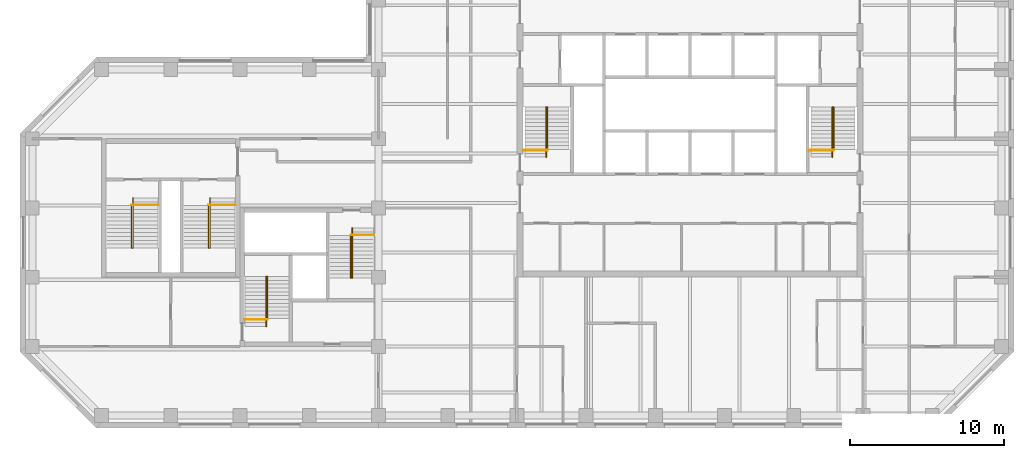
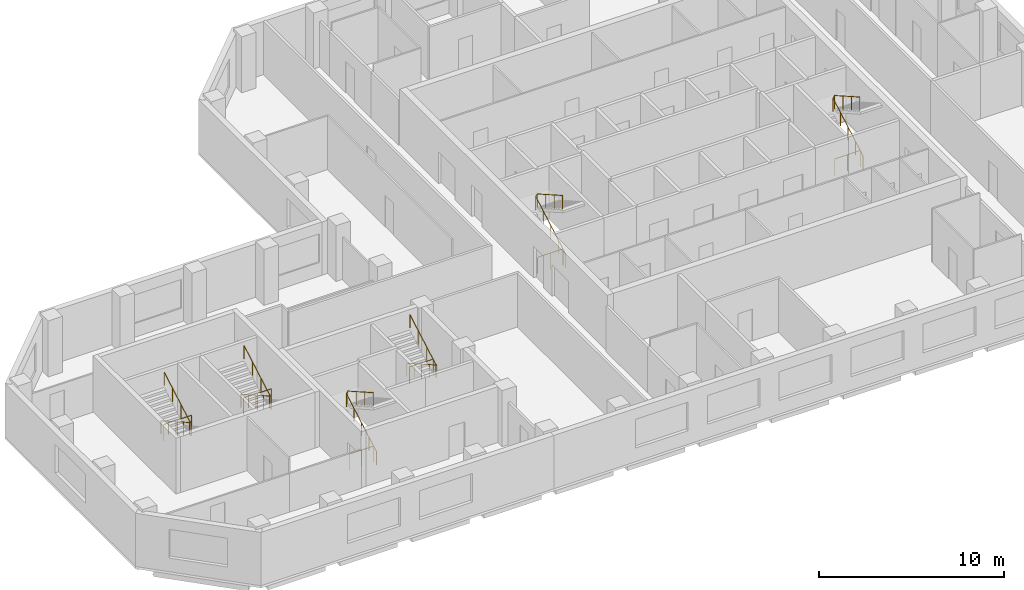
# One storey, part 9 of 9: 12 railings.
"""IFC4 building model written with IfcOpenShell, lengths in metres."""

from ifc_helpers import new_model, si_unit, direction, frame, origin, origin_2d, place, context, subcontext, project, spatial, circle, extrude, material, type_object, element, save


model = new_model("IFC4")

# Units and contexts
model_context = context("Model", 3, precision=1e-05, world=origin(), true_north=direction((0.0, 1.0)))
body_context = subcontext(model_context, "Body", "Model", "MODEL_VIEW")
ifc_project = project(units=[si_unit("LENGTHUNIT", "METRE"), si_unit("AREAUNIT", "SQUARE_METRE"), si_unit("VOLUMEUNIT", "CUBIC_METRE"), si_unit("PLANEANGLEUNIT", "RADIAN"), si_unit("MASSUNIT", "GRAM", prefix="KILO")], contexts=[model_context])

# Site, building, storey
site_placement = place(None, origin())
site = spatial("IfcSite", under=ifc_project, at=site_placement, CompositionType="ELEMENT")
building_placement = place(site_placement, origin())
building = spatial("IfcBuilding", under=site, at=building_placement, Name="Quoin Convention Tower", CompositionType="ELEMENT")
storey_placement = place(building_placement, frame((0.0, 0.0, 223.0)))
storey = spatial("IfcBuildingStorey", under=building, at=storey_placement, Name="L58", CompositionType="ELEMENT", Elevation=223.0)

# Railings
ifc_material = material(Name="Stainless steel", Category="steel")
railing_type_1 = type_object("IfcRailingType", Name="Stair handrail 900", PredefinedType="HANDRAIL", material=ifc_material)
railing_1_placement = place(storey_placement, frame((46.905029296875, 57.300048828125, 0.142333984375)))
element("IfcRailing", 1, at=railing_1_placement, inside=storey, type_object=railing_type_1, Name="SD1 handrail 1", PredefinedType="HANDRAIL", context=body_context, shape_type="SweptSolid", body=[
    extrude(circle(Radius=0.02392578125, at=origin_2d()), frame((0.0, 0.0, 0.8759765625), z_axis=(0.0, 0.869081571614, 0.494668800189), x_axis=(-1.0, 0.0, 0.0)), (0.0, 0.0, 1.0), 3.739501953125),
    extrude(circle(Radius=0.02392578125, at=origin_2d()), frame((0.0, 3.25, 2.7255859375), z_axis=(0.53481069233, 0.0, 0.844971906852), x_axis=(0.0, 1.0, 0.0)), (0.0, 0.0, 1.0), 0.16845703125),
    extrude(circle(Radius=0.02392578125, at=origin_2d()), frame((0.090087890625, 3.25, 2.8681640625), z_axis=(0.0, -0.869058607571, 0.494709143443), x_axis=(1.0, 0.0, 0.0)), (0.0, 0.0, 1.0), 3.164306640625),
    extrude(circle(Radius=0.02099609375, at=origin_2d()), origin(), (0.0, 0.0, 1.0), 0.851806640625),
    extrude(circle(Radius=0.02099609375, at=origin_2d()), frame((0.0, 0.8125, 0.46240234375)), (0.0, 0.0, 1.0), 0.851806640625),
    extrude(circle(Radius=0.02099609375, at=origin_2d()), frame((0.0, 1.625, 0.9248046875)), (0.0, 0.0, 1.0), 0.851806640625),
    extrude(circle(Radius=0.02099609375, at=origin_2d()), frame((0.0, 2.4375, 1.387451171875)), (0.0, 0.0, 1.0), 0.851806640625),
    extrude(circle(Radius=0.02099609375, at=origin_2d()), frame((0.0, 3.25, 1.849853515625)), (0.0, 0.0, 1.0), 0.851806640625),
    extrude(circle(Radius=0.02099609375, at=origin_2d()), frame((0.090087890625, 3.25, 1.9921875)), (0.0, 0.0, 1.0), 0.851806640625),
    extrude(circle(Radius=0.02099609375, at=origin_2d()), frame((0.090087890625, 2.333251953125, 2.513916015625)), (0.0, 0.0, 1.0), 0.851806640625),
    extrude(circle(Radius=0.02099609375, at=origin_2d()), frame((0.090087890625, 1.416748046875, 3.035888671875)), (0.0, 0.0, 1.0), 0.851806640625),
    extrude(circle(Radius=0.02099609375, at=origin_2d()), frame((0.090087890625, 0.5, 3.5576171875)), (0.0, 0.0, 1.0), 0.851806640625),
])
railing_2_placement = place(storey_placement, frame((65.5048828125, 57.300048828125, 0.142333984375)))
element("IfcRailing", 2, at=railing_2_placement, inside=storey, type_object=railing_type_1, Name="SD2 handrail 1", PredefinedType="HANDRAIL", context=body_context, shape_type="SweptSolid", body=[
    extrude(circle(Radius=0.02392578125, at=origin_2d()), frame((0.0, 0.0, 0.8759765625), z_axis=(0.0, 0.869081571614, 0.494668800189), x_axis=(-1.0, 0.0, 0.0)), (0.0, 0.0, 1.0), 3.739501953125),
    extrude(circle(Radius=0.02392578125, at=origin_2d()), frame((0.0, 3.25, 2.7255859375), z_axis=(0.53481069233, 0.0, 0.844971906852), x_axis=(0.0, 1.0, 0.0)), (0.0, 0.0, 1.0), 0.16845703125),
    extrude(circle(Radius=0.02392578125, at=origin_2d()), frame((0.090087890625, 3.25, 2.8681640625), z_axis=(0.0, -0.869058607571, 0.494709143443), x_axis=(1.0, 0.0, 0.0)), (0.0, 0.0, 1.0), 3.164306640625),
    extrude(circle(Radius=0.02099609375, at=origin_2d()), origin(), (0.0, 0.0, 1.0), 0.851806640625),
    extrude(circle(Radius=0.02099609375, at=origin_2d()), frame((0.0, 0.8125, 0.46240234375)), (0.0, 0.0, 1.0), 0.851806640625),
    extrude(circle(Radius=0.02099609375, at=origin_2d()), frame((0.0, 1.625, 0.9248046875)), (0.0, 0.0, 1.0), 0.851806640625),
    extrude(circle(Radius=0.02099609375, at=origin_2d()), frame((0.0, 2.4375, 1.387451171875)), (0.0, 0.0, 1.0), 0.851806640625),
    extrude(circle(Radius=0.02099609375, at=origin_2d()), frame((0.0, 3.25, 1.849853515625)), (0.0, 0.0, 1.0), 0.851806640625),
    extrude(circle(Radius=0.02099609375, at=origin_2d()), frame((0.090087890625, 3.25, 1.9921875)), (0.0, 0.0, 1.0), 0.851806640625),
    extrude(circle(Radius=0.02099609375, at=origin_2d()), frame((0.090087890625, 2.333251953125, 2.513916015625)), (0.0, 0.0, 1.0), 0.851806640625),
    extrude(circle(Radius=0.02099609375, at=origin_2d()), frame((0.090087890625, 1.416748046875, 3.035888671875)), (0.0, 0.0, 1.0), 0.851806640625),
    extrude(circle(Radius=0.02099609375, at=origin_2d()), frame((0.090087890625, 0.5, 3.5576171875)), (0.0, 0.0, 1.0), 0.851806640625),
])
railing_3_placement = place(storey_placement, frame((28.705078125, 46.300048828125, 0.142333984375)))
element("IfcRailing", 3, at=railing_3_placement, inside=storey, type_object=railing_type_1, Name="SD3 handrail 1", PredefinedType="HANDRAIL", context=body_context, shape_type="SweptSolid", body=[
    extrude(circle(Radius=0.02392578125, at=origin_2d()), frame((0.0, 0.0, 0.8759765625), z_axis=(0.0, 0.869081571614, 0.494668800189), x_axis=(-1.0, 0.0, 0.0)), (0.0, 0.0, 1.0), 3.739501953125),
    extrude(circle(Radius=0.02392578125, at=origin_2d()), frame((0.0, 3.25, 2.7255859375), z_axis=(0.533774684331, 0.0, 0.845626741753), x_axis=(0.0, 1.0, 0.0)), (0.0, 0.0, 1.0), 0.168212890625),
    extrude(circle(Radius=0.02392578125, at=origin_2d()), frame((0.08984375, 3.25, 2.8681640625), z_axis=(0.0, -0.869058607571, 0.494709143443), x_axis=(1.0, 0.0, 0.0)), (0.0, 0.0, 1.0), 3.164306640625),
    extrude(circle(Radius=0.02099609375, at=origin_2d()), origin(), (0.0, 0.0, 1.0), 0.851806640625),
    extrude(circle(Radius=0.02099609375, at=origin_2d()), frame((0.0, 0.8125, 0.46240234375)), (0.0, 0.0, 1.0), 0.851806640625),
    extrude(circle(Radius=0.02099609375, at=origin_2d()), frame((0.0, 1.625, 0.9248046875)), (0.0, 0.0, 1.0), 0.851806640625),
    extrude(circle(Radius=0.02099609375, at=origin_2d()), frame((0.0, 2.4375, 1.387451171875)), (0.0, 0.0, 1.0), 0.851806640625),
    extrude(circle(Radius=0.02099609375, at=origin_2d()), frame((0.0, 3.25, 1.849853515625)), (0.0, 0.0, 1.0), 0.851806640625),
    extrude(circle(Radius=0.02099609375, at=origin_2d()), frame((0.08984375, 3.25, 1.9921875)), (0.0, 0.0, 1.0), 0.851806640625),
    extrude(circle(Radius=0.02099609375, at=origin_2d()), frame((0.08984375, 2.333251953125, 2.513916015625)), (0.0, 0.0, 1.0), 0.851806640625),
    extrude(circle(Radius=0.02099609375, at=origin_2d()), frame((0.08984375, 1.416748046875, 3.035888671875)), (0.0, 0.0, 1.0), 0.851806640625),
    extrude(circle(Radius=0.02099609375, at=origin_2d()), frame((0.08984375, 0.5, 3.5576171875)), (0.0, 0.0, 1.0), 0.851806640625),
])
railing_4_placement = place(storey_placement, frame((34.294921875, 52.699951171875, 0.142333984375)))
element("IfcRailing", 4, at=railing_4_placement, inside=storey, type_object=railing_type_1, Name="SD4 handrail 1", PredefinedType="HANDRAIL", context=body_context, shape_type="SweptSolid", body=[
    extrude(circle(Radius=0.02392578125, at=origin_2d()), frame((0.0, 0.0, 0.8759765625), z_axis=(0.0, -0.869081571614, 0.494668800189), x_axis=(1.0, 0.0, 0.0)), (0.0, 0.0, 1.0), 3.739501953125),
    extrude(circle(Radius=0.02392578125, at=origin_2d()), frame((0.0, -3.25, 2.7255859375), z_axis=(-0.533774684331, 0.0, 0.845626741753), x_axis=(0.0, -1.0, 0.0)), (0.0, 0.0, 1.0), 0.168212890625),
    extrude(circle(Radius=0.02392578125, at=origin_2d()), frame((-0.08984375, -3.25, 2.8681640625), z_axis=(0.0, 0.869058607571, 0.494709143443), x_axis=(-1.0, 0.0, 0.0)), (0.0, 0.0, 1.0), 3.164306640625),
    extrude(circle(Radius=0.02099609375, at=origin_2d()), origin(), (0.0, 0.0, 1.0), 0.851806640625),
    extrude(circle(Radius=0.02099609375, at=origin_2d()), frame((0.0, -0.8125, 0.46240234375)), (0.0, 0.0, 1.0), 0.851806640625),
    extrude(circle(Radius=0.02099609375, at=origin_2d()), frame((0.0, -1.625, 0.9248046875)), (0.0, 0.0, 1.0), 0.851806640625),
    extrude(circle(Radius=0.02099609375, at=origin_2d()), frame((0.0, -2.4375, 1.387451171875)), (0.0, 0.0, 1.0), 0.851806640625),
    extrude(circle(Radius=0.02099609375, at=origin_2d()), frame((0.0, -3.25, 1.849853515625)), (0.0, 0.0, 1.0), 0.851806640625),
    extrude(circle(Radius=0.02099609375, at=origin_2d()), frame((-0.08984375, -3.25, 1.9921875)), (0.0, 0.0, 1.0), 0.851806640625),
    extrude(circle(Radius=0.02099609375, at=origin_2d()), frame((-0.08984375, -2.333251953125, 2.513916015625)), (0.0, 0.0, 1.0), 0.851806640625),
    extrude(circle(Radius=0.02099609375, at=origin_2d()), frame((-0.08984375, -1.416748046875, 3.035888671875)), (0.0, 0.0, 1.0), 0.851806640625),
    extrude(circle(Radius=0.02099609375, at=origin_2d()), frame((-0.08984375, -0.5, 3.5576171875)), (0.0, 0.0, 1.0), 0.851806640625),
])
railing_5_placement = place(storey_placement, frame((20.044921875, 54.64990234375, 0.142333984375)))
element("IfcRailing", 5, at=railing_5_placement, inside=storey, type_object=railing_type_1, Name="SD11 handrail 1", PredefinedType="HANDRAIL", context=body_context, shape_type="SweptSolid", body=[
    extrude(circle(Radius=0.02392578125, at=origin_2d()), frame((0.0, 0.0, 0.8759765625), z_axis=(0.0, -0.869081571614, 0.494668800189), x_axis=(1.0, 0.0, 0.0)), (0.0, 0.0, 1.0), 3.739501953125),
    extrude(circle(Radius=0.02392578125, at=origin_2d()), frame((0.0, -3.25, 2.7255859375), z_axis=(-0.533774684331, 0.0, 0.845626741753), x_axis=(0.0, -1.0, 0.0)), (0.0, 0.0, 1.0), 0.168212890625),
    extrude(circle(Radius=0.02392578125, at=origin_2d()), frame((-0.08984375, -3.25, 2.8681640625), z_axis=(0.0, 0.869058607571, 0.494709143443), x_axis=(-1.0, 0.0, 0.0)), (0.0, 0.0, 1.0), 3.164306640625),
    extrude(circle(Radius=0.02099609375, at=origin_2d()), origin(), (0.0, 0.0, 1.0), 0.851806640625),
    extrude(circle(Radius=0.02099609375, at=origin_2d()), frame((0.0, -0.8125, 0.46240234375)), (0.0, 0.0, 1.0), 0.851806640625),
    extrude(circle(Radius=0.02099609375, at=origin_2d()), frame((0.0, -1.625, 0.9248046875)), (0.0, 0.0, 1.0), 0.851806640625),
    extrude(circle(Radius=0.02099609375, at=origin_2d()), frame((0.0, -2.4375, 1.387451171875)), (0.0, 0.0, 1.0), 0.851806640625),
    extrude(circle(Radius=0.02099609375, at=origin_2d()), frame((0.0, -3.25, 1.849853515625)), (0.0, 0.0, 1.0), 0.851806640625),
    extrude(circle(Radius=0.02099609375, at=origin_2d()), frame((-0.08984375, -3.25, 1.9921875)), (0.0, 0.0, 1.0), 0.851806640625),
    extrude(circle(Radius=0.02099609375, at=origin_2d()), frame((-0.08984375, -2.333251953125, 2.513916015625)), (0.0, 0.0, 1.0), 0.851806640625),
    extrude(circle(Radius=0.02099609375, at=origin_2d()), frame((-0.08984375, -1.416748046875, 3.035888671875)), (0.0, 0.0, 1.0), 0.851806640625),
    extrude(circle(Radius=0.02099609375, at=origin_2d()), frame((-0.08984375, -0.5, 3.5576171875)), (0.0, 0.0, 1.0), 0.851806640625),
])
railing_6_placement = place(storey_placement, frame((25.044921875, 54.64990234375, 0.142333984375)))
element("IfcRailing", 6, at=railing_6_placement, inside=storey, type_object=railing_type_1, Name="SD12 handrail 1", PredefinedType="HANDRAIL", context=body_context, shape_type="SweptSolid", body=[
    extrude(circle(Radius=0.02392578125, at=origin_2d()), frame((0.0, 0.0, 0.8759765625), z_axis=(0.0, -0.869081571614, 0.494668800189), x_axis=(1.0, 0.0, 0.0)), (0.0, 0.0, 1.0), 3.739501953125),
    extrude(circle(Radius=0.02392578125, at=origin_2d()), frame((0.0, -3.25, 2.7255859375), z_axis=(-0.533774684331, 0.0, 0.845626741753), x_axis=(0.0, -1.0, 0.0)), (0.0, 0.0, 1.0), 0.168212890625),
    extrude(circle(Radius=0.02392578125, at=origin_2d()), frame((-0.08984375, -3.25, 2.8681640625), z_axis=(0.0, 0.869058607571, 0.494709143443), x_axis=(-1.0, 0.0, 0.0)), (0.0, 0.0, 1.0), 3.164306640625),
    extrude(circle(Radius=0.02099609375, at=origin_2d()), origin(), (0.0, 0.0, 1.0), 0.851806640625),
    extrude(circle(Radius=0.02099609375, at=origin_2d()), frame((0.0, -0.8125, 0.46240234375)), (0.0, 0.0, 1.0), 0.851806640625),
    extrude(circle(Radius=0.02099609375, at=origin_2d()), frame((0.0, -1.625, 0.9248046875)), (0.0, 0.0, 1.0), 0.851806640625),
    extrude(circle(Radius=0.02099609375, at=origin_2d()), frame((0.0, -2.4375, 1.387451171875)), (0.0, 0.0, 1.0), 0.851806640625),
    extrude(circle(Radius=0.02099609375, at=origin_2d()), frame((0.0, -3.25, 1.849853515625)), (0.0, 0.0, 1.0), 0.851806640625),
    extrude(circle(Radius=0.02099609375, at=origin_2d()), frame((-0.08984375, -3.25, 1.9921875)), (0.0, 0.0, 1.0), 0.851806640625),
    extrude(circle(Radius=0.02099609375, at=origin_2d()), frame((-0.08984375, -2.333251953125, 2.513916015625)), (0.0, 0.0, 1.0), 0.851806640625),
    extrude(circle(Radius=0.02099609375, at=origin_2d()), frame((-0.08984375, -1.416748046875, 3.035888671875)), (0.0, 0.0, 1.0), 0.851806640625),
    extrude(circle(Radius=0.02099609375, at=origin_2d()), frame((-0.08984375, -0.5, 3.5576171875)), (0.0, 0.0, 1.0), 0.851806640625),
])
railing_type_2 = type_object("IfcRailingType", Name="Stair top guard 1100", PredefinedType="GUARDRAIL", material=ifc_material)
railing_7_placement = place(storey_placement, frame((45.39990234375, 57.75, 0.0)))
element("IfcRailing", 7, at=railing_7_placement, inside=storey, type_object=railing_type_2, Name="SD1 top guard", PredefinedType="GUARDRAIL", context=body_context, shape_type="SweptSolid", body=[
    extrude(circle(Radius=0.02392578125, at=origin_2d()), frame((0.0, 0.0, 1.076171875), z_axis=(1.0, 0.0, 0.0), x_axis=(0.0, 1.0, 0.0)), (0.0, 0.0, 1.0), 1.59521484375),
    extrude(circle(Radius=0.02099609375, at=origin_2d()), origin(), (0.0, 0.0, 1.0), 1.052001953125),
    extrude(circle(Radius=0.02099609375, at=origin_2d()), frame((0.797607421875, 0.0, 0.0)), (0.0, 0.0, 1.0), 1.052001953125),
    extrude(circle(Radius=0.02099609375, at=origin_2d()), frame((1.59521484375, 0.0, 0.0)), (0.0, 0.0, 1.0), 1.052001953125),
])
railing_8_placement = place(storey_placement, frame((64.0, 57.75, 0.0)))
element("IfcRailing", 8, at=railing_8_placement, inside=storey, type_object=railing_type_2, Name="SD2 top guard", PredefinedType="GUARDRAIL", context=body_context, shape_type="SweptSolid", body=[
    extrude(circle(Radius=0.02392578125, at=origin_2d()), frame((0.0, 0.0, 1.076171875), z_axis=(1.0, 0.0, 0.0), x_axis=(0.0, 1.0, 0.0)), (0.0, 0.0, 1.0), 1.594970703125),
    extrude(circle(Radius=0.02099609375, at=origin_2d()), origin(), (0.0, 0.0, 1.0), 1.052001953125),
    extrude(circle(Radius=0.02099609375, at=origin_2d()), frame((0.79736328125, 0.0, 0.0)), (0.0, 0.0, 1.0), 1.052001953125),
    extrude(circle(Radius=0.02099609375, at=origin_2d()), frame((1.594970703125, 0.0, 0.0)), (0.0, 0.0, 1.0), 1.052001953125),
])
railing_9_placement = place(storey_placement, frame((27.300048828125, 46.75, 0.0)))
element("IfcRailing", 9, at=railing_9_placement, inside=storey, type_object=railing_type_2, Name="SD3 top guard", PredefinedType="GUARDRAIL", context=body_context, shape_type="SweptSolid", body=[
    extrude(circle(Radius=0.02392578125, at=origin_2d()), frame((0.0, 0.0, 1.076171875), z_axis=(1.0, 0.0, 0.0), x_axis=(0.0, 1.0, 0.0)), (0.0, 0.0, 1.0), 1.494873046875),
    extrude(circle(Radius=0.02099609375, at=origin_2d()), origin(), (0.0, 0.0, 1.0), 1.052001953125),
    extrude(circle(Radius=0.02099609375, at=origin_2d()), frame((0.74755859375, 0.0, 0.0)), (0.0, 0.0, 1.0), 1.052001953125),
    extrude(circle(Radius=0.02099609375, at=origin_2d()), frame((1.494873046875, 0.0, 0.0)), (0.0, 0.0, 1.0), 1.052001953125),
])
railing_10_placement = place(storey_placement, frame((35.699951171875, 52.25, 0.0)))
element("IfcRailing", 10, at=railing_10_placement, inside=storey, type_object=railing_type_2, Name="SD4 top guard", PredefinedType="GUARDRAIL", context=body_context, shape_type="SweptSolid", body=[
    extrude(circle(Radius=0.02392578125, at=origin_2d()), frame((0.0, 0.0, 1.076171875), z_axis=(-1.0, 0.0, 0.0), x_axis=(0.0, -1.0, 0.0)), (0.0, 0.0, 1.0), 1.494873046875),
    extrude(circle(Radius=0.02099609375, at=origin_2d()), origin(), (0.0, 0.0, 1.0), 1.052001953125),
    extrude(circle(Radius=0.02099609375, at=origin_2d()), frame((-0.74755859375, 0.0, 0.0)), (0.0, 0.0, 1.0), 1.052001953125),
    extrude(circle(Radius=0.02099609375, at=origin_2d()), frame((-1.494873046875, 0.0, 0.0)), (0.0, 0.0, 1.0), 1.052001953125),
])
for number, where, name in (
    (11, (21.699951171875, 54.199951171875, 0.0), "SD11 top guard"),
    (12, (26.699951171875, 54.199951171875, 0.0), "SD12 top guard"),
):
    element("IfcRailing", number, at=place(storey_placement, frame(where)), inside=storey, type_object=railing_type_2, Name=name, PredefinedType="GUARDRAIL", context=body_context, shape_type="SweptSolid", body=[
        extrude(circle(Radius=0.02392578125, at=origin_2d()), frame((0.0, 0.0, 1.076171875), z_axis=(-1.0, 0.0, 0.0), x_axis=(0.0, -1.0, 0.0)), (0.0, 0.0, 1.0), 1.744873046875),
        extrude(circle(Radius=0.02099609375, at=origin_2d()), origin(), (0.0, 0.0, 1.0), 1.052001953125),
        extrude(circle(Radius=0.02099609375, at=origin_2d()), frame((-0.87255859375, 0.0, 0.0)), (0.0, 0.0, 1.0), 1.052001953125),
        extrude(circle(Radius=0.02099609375, at=origin_2d()), frame((-1.744873046875, 0.0, 0.0)), (0.0, 0.0, 1.0), 1.052001953125),
    ])

save(model, "model.ifc")
